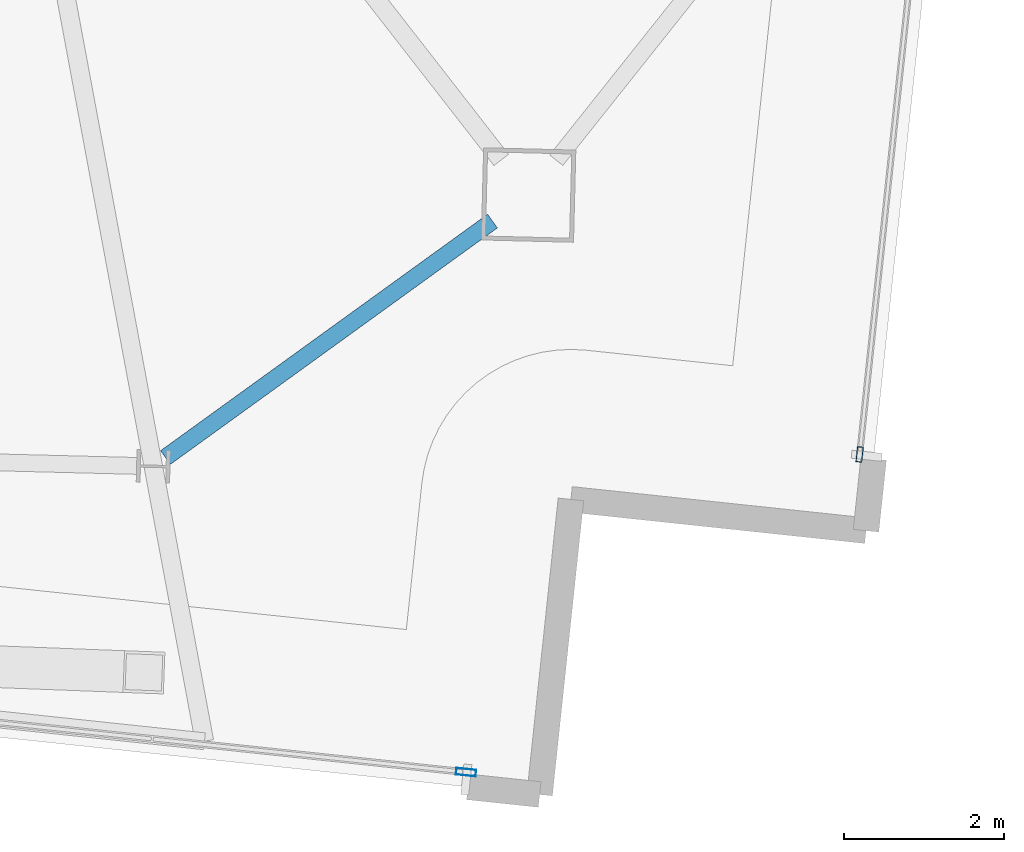
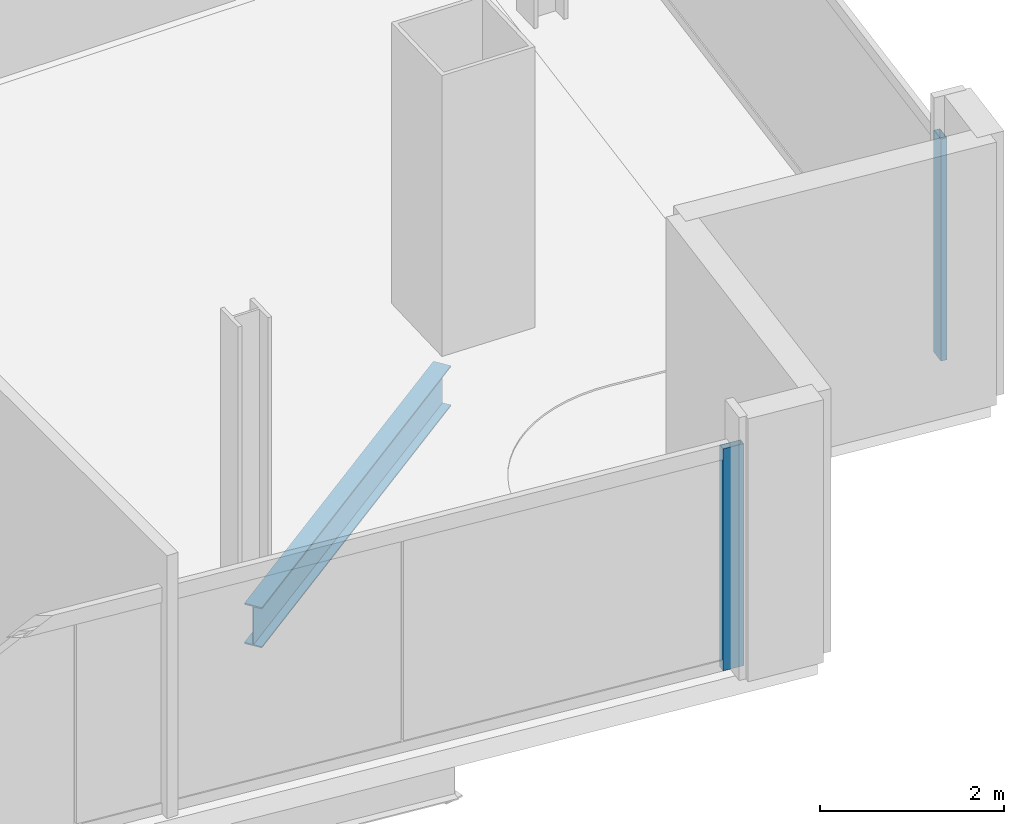
# One storey, part 7 of 24: 2 members, 1 beam, 2 elements without a shape of their own.
"""IFC4 building model written with IfcOpenShell, lengths in metres."""

import ifcopenshell
import ifcopenshell.guid

model = None  # the IFC model being written
_history = None  # IfcOwnerHistory: only IFC2X3 demands one
_inside = {}  # id of a spatial element -> (the spatial element, [elements in it])
_under = {}  # id of a project, library or spatial element -> (it, [spatial elements below it])
_declared = {}  # id of a project -> (the project, [libraries it declares])
_typed = {}  # id of a type object -> (the type object, [elements of that type])
_made_of = {}  # id of a material, layer set ... -> (it, [elements and type objects made of it])


def new_model(schema):
    """Start an empty IFC model of exactly this schema.

    Asked for "IFC4X3", IfcOpenShell would pick the latest addendum, in which some entities
    have other attributes; the version numbers below select the first issue.
    IFC2X3 requires an IfcOwnerHistory on every rooted entity: one is made here for all.
    """
    global model, _history
    if schema == "IFC4X3":
        model = ifcopenshell.file(schema_version=(4, 3, 0, 0))
    else:
        model = ifcopenshell.file(schema=schema)
    _inside.clear()
    _under.clear()
    _declared.clear()
    _typed.clear()
    _made_of.clear()
    _history = None
    if model.schema == "IFC2X3":
        org = make("IfcOrganization", Name="unknown")
        user = make(
            "IfcPersonAndOrganization",
            ThePerson=make("IfcPerson", FamilyName="unknown"),
            TheOrganization=org,
        )
        app = make(
            "IfcApplication",
            ApplicationDeveloper=org,
            Version="unknown",
            ApplicationFullName="unknown",
            ApplicationIdentifier="unknown",
        )
        _history = make(
            "IfcOwnerHistory",
            OwningUser=user,
            OwningApplication=app,
            ChangeAction="ADDED",
            CreationDate=0,
        )
    return model


def make(cls, **values):
    """One entity of the class cls with the attributes given. An attribute that is None is left unset."""
    return model.create_entity(
        cls, **{name: value for name, value in values.items() if value is not None}
    )


def rooted(cls, **values):
    """An entity with a GlobalId (a new one), such as an element, a storey or a relation."""
    return make(cls, GlobalId=ifcopenshell.guid.new(), OwnerHistory=_history, **values)


def si_unit(unit_type, name, prefix=None):
    """IfcSIUnit, for example si_unit("LENGTHUNIT", "METRE", prefix="MILLI")."""
    return make("IfcSIUnit", UnitType=unit_type, Prefix=prefix, Name=name)


def assignment(units):
    """IfcUnitAssignment: the units of a project."""
    return None if units is None else make("IfcUnitAssignment", Units=units)


def point(xyz):
    """IfcCartesianPoint."""
    return None if xyz is None else make("IfcCartesianPoint", Coordinates=xyz)


def direction(xyz):
    """IfcDirection."""
    return None if xyz is None else make("IfcDirection", DirectionRatios=xyz)


def frame(location, z_axis=None, x_axis=None):
    """IfcAxis2Placement3D, a coordinate frame: its origin and axes. An axis left out is left unset."""
    return make(
        "IfcAxis2Placement3D",
        Location=point(location),
        Axis=direction(z_axis),
        RefDirection=direction(x_axis),
    )


def frame_2d(location, x_axis=None):
    """IfcAxis2Placement2D, a coordinate frame in the plane: its origin and x axis."""
    return make(
        "IfcAxis2Placement2D", Location=point(location), RefDirection=direction(x_axis)
    )


def origin():
    """The frame at (0, 0, 0) with its axes left unset."""
    return frame((0.0, 0.0, 0.0))


def origin_2d():
    """The frame at (0, 0) in the plane with its x axis left unset."""
    return frame_2d((0.0, 0.0))


def place(relative_to, where):
    """IfcLocalPlacement: puts the frame where relative to a parent placement (None: the world)."""
    return make(
        "IfcLocalPlacement", PlacementRelTo=relative_to, RelativePlacement=where
    )


def context(
    kind, dimensions, precision=None, world=None, true_north=None, identifier=None
):
    """IfcGeometricRepresentationContext, for example the 3D "Model" context."""
    return make(
        "IfcGeometricRepresentationContext",
        ContextIdentifier=identifier,
        ContextType=kind,
        CoordinateSpaceDimension=dimensions,
        Precision=precision,
        WorldCoordinateSystem=world,
        TrueNorth=true_north,
    )


def subcontext(parent, identifier, kind, view, scale=None):
    """IfcGeometricRepresentationSubContext, for example "Body" below "Model"."""
    return make(
        "IfcGeometricRepresentationSubContext",
        ContextIdentifier=identifier,
        ContextType=kind,
        ParentContext=parent,
        TargetScale=scale,
        TargetView=view,
    )


def project(units=None, contexts=None):
    """IfcProject with its units and contexts."""
    return rooted(
        "IfcProject",
        Name="project",
        RepresentationContexts=contexts,
        UnitsInContext=assignment(units),
    )


def spatial(cls, under=None, at=None, **own):
    """A site, building, storey or space (cls), placed at a placement, below another one or the project."""
    s = rooted(cls, ObjectPlacement=at, **own)
    if under is not None:
        _under.setdefault(under.id(), (under, []))[1].append(s)
    return s


def profile(cls, at=None, kind="AREA", **sizes):
    """A parametric profile (cls). Its sizes go by their IFC names, for example OverallWidth=200.0."""
    return make(cls, ProfileType=kind, Position=at, **sizes)


def hollow_rectangle(**sizes):
    """IfcRectangleHollowProfileDef."""
    return profile("IfcRectangleHollowProfileDef", **sizes)


def i_section(**sizes):
    """IfcIShapeProfileDef."""
    return profile("IfcIShapeProfileDef", **sizes)


def extrude(swept, where, along, depth):
    """IfcExtrudedAreaSolid: the profile swept, set in the frame where, extruded along a direction by depth."""
    return make(
        "IfcExtrudedAreaSolid",
        SweptArea=swept,
        Position=where,
        ExtrudedDirection=direction(along),
        Depth=depth,
    )


def shape(context_of_items, identifier, shape_type, items):
    """IfcShapeRepresentation: the items that make up one representation, for example the "Body"."""
    return make(
        "IfcShapeRepresentation",
        ContextOfItems=context_of_items,
        RepresentationIdentifier=identifier,
        RepresentationType=shape_type,
        Items=items,
    )


def material(Name=None, Category=None):
    """IfcMaterial."""
    return make("IfcMaterial", Name=Name, Category=Category)


def material_profile(
    of_material, cross_section, Name=None, Category=None, Priority=None
):
    """IfcMaterialProfile: a cross section and its material."""
    return make(
        "IfcMaterialProfile",
        Name=Name,
        Material=of_material,
        Profile=cross_section,
        Priority=Priority,
        Category=Category,
    )


def profile_set(profiles, Name=None, composite=None):
    """IfcMaterialProfileSet."""
    return make(
        "IfcMaterialProfileSet",
        Name=Name,
        MaterialProfiles=profiles,
        CompositeProfile=composite,
    )


def made_of(thing, what):
    """Note that an element or type object is made of a material, layer set ...; save() writes the relation."""
    if what is not None:
        _made_of.setdefault(what.id(), (what, []))[1].append(thing)
    return thing


def type_object(cls, material=None, **own):
    """A type object (cls), such as IfcWallType, which elements share."""
    return made_of(rooted(cls, **own), material)


def element(
    cls,
    number,
    at=None,
    inside=None,
    cuts=None,
    type_object=None,
    material=None,
    context=None,
    identifier="Body",
    shape_type=None,
    held_by="IfcProductDefinitionShape",
    body=None,
    shapes=None,
    **own,
):
    """One element of the class cls, such as IfcWall. Its Tag is "e" and its number.

    at: its placement. inside: the storey or other place that contains it. cuts: it is an
    opening in that element (IfcRelVoidsElement). A single representation is given by context,
    identifier, shape_type and body (its items); several are given by shapes. held_by: the class
    of the entity that holds the representations. save() writes the other relations.
    """
    e = rooted(cls, Tag="e%d" % number, ObjectPlacement=at, **own)
    if body is not None:
        shapes = [shape(context, identifier, shape_type, body)]
    if shapes is not None:
        e.Representation = make(held_by, Representations=shapes)
    if inside is not None:
        _inside.setdefault(inside.id(), (inside, []))[1].append(e)
    if cuts is not None:
        rooted(
            "IfcRelVoidsElement", RelatingBuildingElement=cuts, RelatedOpeningElement=e
        )
    if type_object is not None:
        _typed.setdefault(type_object.id(), (type_object, []))[1].append(e)
    return made_of(e, material)


def aggregate(whole, parts):
    """IfcRelAggregates: a whole, such as a stair, and the parts it consists of."""
    return rooted("IfcRelAggregates", RelatingObject=whole, RelatedObjects=parts)


def save(model, path):
    """Write the relations noted so far, then the file.

    IfcRelAggregates (storeys below a building ...), IfcRelContainedInSpatialStructure (elements
    in a storey), IfcRelDefinesByType, IfcRelAssociatesMaterial and IfcRelDeclares: one each for
    every whole, place, type object, material and project.
    """
    for whole, parts in _under.values():
        aggregate(whole, parts)
    for where, things in _inside.values():
        rooted(
            "IfcRelContainedInSpatialStructure",
            RelatedElements=things,
            RelatingStructure=where,
        )
    for kind, things in _typed.values():
        rooted("IfcRelDefinesByType", RelatedObjects=things, RelatingType=kind)
    for what, things in _made_of.values():
        rooted("IfcRelAssociatesMaterial", RelatedObjects=things, RelatingMaterial=what)
    for by, libraries in _declared.values():
        rooted("IfcRelDeclares", RelatingContext=by, RelatedDefinitions=libraries)
    model.write(path)


model = new_model("IFC4")

# Units and contexts
model_context = context("Model", 3, precision=1e-05, world=origin(), true_north=direction((0.0, 1.0)))
body_context = subcontext(model_context, "Body", "Model", "MODEL_VIEW")
ifc_project = project(units=[si_unit("LENGTHUNIT", "METRE"), si_unit("AREAUNIT", "SQUARE_METRE"), si_unit("VOLUMEUNIT", "CUBIC_METRE"), si_unit("PLANEANGLEUNIT", "RADIAN"), si_unit("MASSUNIT", "GRAM", prefix="KILO")], contexts=[model_context])

# Site, building, storey
site_placement = place(None, origin())
site = spatial("IfcSite", under=ifc_project, at=site_placement, CompositionType="ELEMENT")
building_placement = place(site_placement, origin())
building = spatial("IfcBuilding", under=site, at=building_placement, Name="Haldenkirk Collegiate Tower", CompositionType="ELEMENT")
storey_placement = place(building_placement, frame((0.0, 0.0, 310.199951171875)))
storey = spatial("IfcBuildingStorey", under=building, at=storey_placement, Name="L78", CompositionType="ELEMENT", Elevation=310.199951171875)

# Beam
ifc_material_1 = material(Name="Steel ASTM A992 Grade 50", Category="steel")
ifc_material_profile_1 = material_profile(ifc_material_1, i_section(OverallWidth=0.2099609375, OverallDepth=0.537109375, WebThickness=0.010986328125, FlangeThickness=0.017333984375, at=origin_2d()), Name="W21X68")
ifc_profile_set_1 = profile_set([ifc_material_profile_1], Name="Steel ASTM A992 Grade 50")
beam_type = type_object("IfcBeamType", Name="BM-SPANDREL-W21X68", PredefinedType="SPANDREL", material=ifc_profile_set_1)
beam_placement = place(storey_placement, frame((47.44921875, 5.767578125, -0.528564453125), z_axis=(0.810388642646, 0.585892693136, 0.0), x_axis=(-0.585892693136, 0.810388642646, 0.0)))
element("IfcBeam", 1, at=beam_placement, inside=storey, type_object=beam_type, Name="L78 perimeter spandrel beam 16", PredefinedType="SPANDREL", context=body_context, shape_type="SweptSolid", body=[
    extrude(i_section(OverallWidth=0.2099609375, OverallDepth=0.537109375, WebThickness=0.010986328125, FlangeThickness=0.017333984375, at=origin_2d()), origin(), (0.0, 0.0, 1.0), 5.03076171875),
])

# Curtain wall, member
ifc_material_2 = material(Name="Anodised architectural bronze aluminium", Category="aluminium")
curtain_wall_type_1 = type_object("IfcCurtainWallType", Name="CW-SYS2-CONCAVE", PredefinedType="USERDEFINED", material=ifc_material_2)
curtain_wall_1_placement = place(storey_placement, origin())
curtain_wall_1 = element("IfcCurtainWall", 2, at=curtain_wall_1_placement, inside=storey, type_object=curtain_wall_type_1, Name="L78 South concave recessed bronze-anodised curtain wall", ObjectType="UNITISED CURTAIN WALL", PredefinedType="USERDEFINED")
ifc_material_profile_2 = material_profile(ifc_material_2, hollow_rectangle(XDim=0.074951171875, YDim=0.18994140625, WallThickness=0.0048828125, at=origin_2d()), Name="CW-MUL-02")
ifc_profile_set_2 = profile_set([ifc_material_profile_2], Name="Anodised architectural bronze aluminium")
member_type_1 = type_object("IfcMemberType", Name="CW-MUL-02", PredefinedType="MULLION", material=ifc_profile_set_2)
member_1_placement = place(storey_placement, frame((56.103759765625, 5.80615234375, 0.0), z_axis=(0.0, 0.0, 1.0), x_axis=(0.994430496515, -0.105394438184, 0.0)))
member_1 = element("IfcMember", 3, at=member_1_placement, type_object=member_type_1, Name="CW-02 mullion 4", PredefinedType="MULLION", context=body_context, shape_type="SweptSolid", body=[
    extrude(hollow_rectangle(XDim=0.074951171875, YDim=0.18994140625, WallThickness=0.0048828125, at=origin_2d()), origin(), (0.0, 0.0, 1.0), 2.947998046875),
])
aggregate(curtain_wall_1, [member_1])

curtain_wall_type_2 = type_object("IfcCurtainWallType", Name="CW-SYS1B-CONVEX-HI", PredefinedType="USERDEFINED", material=ifc_material_2)
curtain_wall_2_placement = place(storey_placement, origin())
curtain_wall_2 = element("IfcCurtainWall", 4, at=curtain_wall_2_placement, inside=storey, type_object=curtain_wall_type_2, Name="L78 Upper tower high-wind convex bronze unitised curtain wall", ObjectType="UNITISED CURTAIN WALL", PredefinedType="USERDEFINED")
ifc_material_profile_3 = material_profile(ifc_material_2, hollow_rectangle(XDim=0.0849609375, YDim=0.25, WallThickness=0.0048828125, at=origin_2d()), Name="CW-MUL-1B")
ifc_profile_set_3 = profile_set([ifc_material_profile_3], Name="Anodised architectural bronze aluminium")
member_type_2 = type_object("IfcMemberType", Name="CW-MUL-1B", PredefinedType="MULLION", material=ifc_profile_set_3)
member_2_placement = place(storey_placement, frame((51.196044921875, 1.843994140625, 0.0), z_axis=(0.0, 0.0, 1.0), x_axis=(-0.10539279234, -0.994430670948, 0.0)))
member_2 = element("IfcMember", 5, at=member_2_placement, type_object=member_type_2, Name="CW-1B mullion 1", PredefinedType="MULLION", context=body_context, shape_type="SweptSolid", body=[
    extrude(hollow_rectangle(XDim=0.0849609375, YDim=0.25, WallThickness=0.0048828125, at=origin_2d()), origin(), (0.0, 0.0, 1.0), 2.947998046875),
])
aggregate(curtain_wall_2, [member_2])

save(model, "model.ifc")
